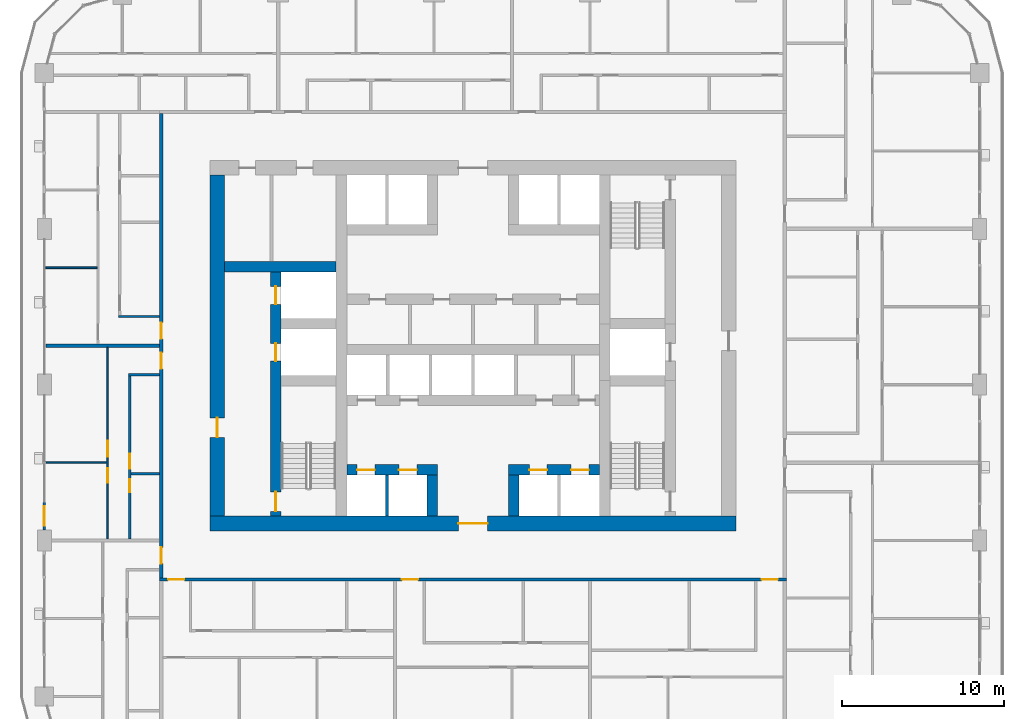
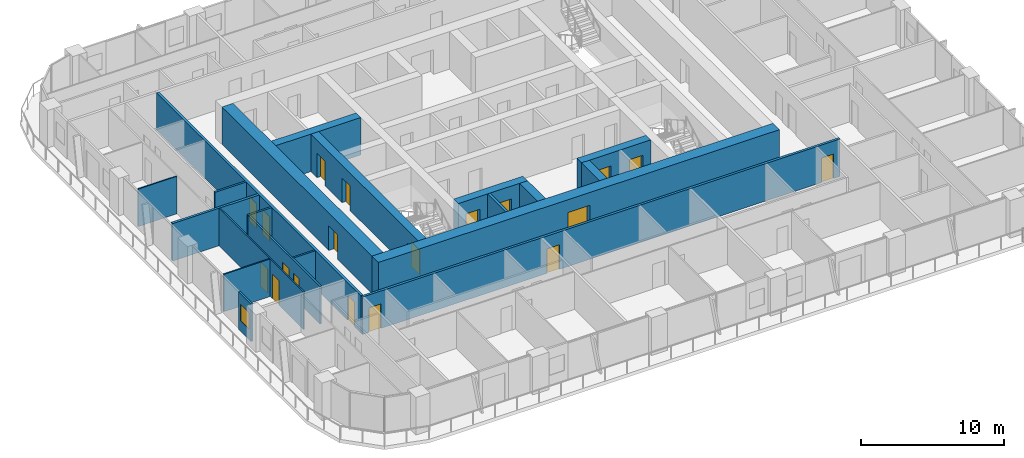
# One storey, part 10 of 22: 20 walls, 19 doors, 1 window, 20 openings.
"""IFC4 building model written with IfcOpenShell, lengths in metres."""

from ifc_helpers import new_model, si_unit, direction, frame, frame_2d, origin, place, context, subcontext, project, spatial, rectangle, extrude, material, layer, layer_set, type_object, element, fill, save


model = new_model("IFC4")

# Units and contexts
model_context = context("Model", 3, precision=1e-05, world=origin(), true_north=direction((0.0, 1.0)))
body_context = subcontext(model_context, "Body", "Model", "MODEL_VIEW")
ifc_project = project(units=[si_unit("LENGTHUNIT", "METRE"), si_unit("AREAUNIT", "SQUARE_METRE"), si_unit("VOLUMEUNIT", "CUBIC_METRE"), si_unit("PLANEANGLEUNIT", "RADIAN"), si_unit("MASSUNIT", "GRAM", prefix="KILO")], contexts=[model_context])

# Site, building, storey
site_placement = place(None, origin())
site = spatial("IfcSite", under=ifc_project, at=site_placement, CompositionType="ELEMENT")
building_placement = place(site_placement, origin())
building = spatial("IfcBuilding", under=site, at=building_placement, Name="Madar Terraces", CompositionType="ELEMENT")
storey_placement = place(building_placement, frame((0.0, 0.0, 69.800048828125)))
storey = spatial("IfcBuildingStorey", under=building, at=storey_placement, Name="L17", CompositionType="ELEMENT", Elevation=69.800048828125)

# Wall, openings, doors
ifc_material_1 = material(Name="Concrete C80/95", Category="concrete")
ifc_layer_1 = layer(ifc_material_1, 0.64990234375)
ifc_layer_set_1 = layer_set([ifc_layer_1], Name="Concrete C80/95 (CIW2 RC wall 650)")
wall_type_1 = type_object("IfcWallType", Name="CIW2 RC wall 650", PredefinedType="SHEAR", material=ifc_layer_set_1)
wall_1_placement = place(storey_placement, frame((19.050048828125, 15.89990234375, 0.0), z_axis=(0.0, 0.0, 1.0), x_axis=(0.0, 1.0, 0.0)))
wall_1 = element("IfcWall", 1, at=wall_1_placement, inside=storey, type_object=wall_type_1, Name="CORE SHAFT WALL", PredefinedType="SHEAR", context=body_context, shape_type="SweptSolid", body=[
    extrude(rectangle(XDim=15.025146484375, YDim=0.64990234375, at=frame_2d((7.5126953125, 0.0))), origin(), (0.0, 0.0, 1.0), 3.199951171875),
])
opening_1_placement = place(wall_1_placement, frame((9.550048828125, 0.0, 0.0)))
opening_1 = element("IfcOpeningElement", 2, at=opening_1_placement, cuts=wall_1, Name="Opening LD", PredefinedType="OPENING", context=body_context, shape_type="SweptSolid", body=[
    extrude(rectangle(XDim=1.10009765625, YDim=2.10009765625, at=frame_2d((0.550048828125, 1.050048828125))), frame((0.0, 0.3349609375, 0.0), z_axis=(0.0, -1.0, 0.0), x_axis=(1.0, 0.0, 0.0)), (0.0, 0.0, 1.0), 0.669921875),
])
opening_2_placement = place(wall_1_placement, frame((13.050048828125, 0.0, 0.0)))
opening_2 = element("IfcOpeningElement", 3, at=opening_2_placement, cuts=wall_1, Name="Opening LD", PredefinedType="OPENING", context=body_context, shape_type="SweptSolid", body=[
    extrude(rectangle(XDim=1.10009765625, YDim=2.10009765625, at=frame_2d((0.550048828125, 1.050048828125))), frame((0.0, 0.3349609375, 0.0), z_axis=(0.0, -1.0, 0.0), x_axis=(1.0, 0.0, 0.0)), (0.0, 0.0, 1.0), 0.669921875),
])
opening_3_placement = place(wall_1_placement, frame((0.300048828125, 0.0, 0.0)))
opening_3 = element("IfcOpeningElement", 4, at=opening_3_placement, cuts=wall_1, Name="Opening SD1", PredefinedType="OPENING", context=body_context, shape_type="SweptSolid", body=[
    extrude(rectangle(XDim=1.199951171875, YDim=2.10009765625, at=frame_2d((0.60009765625, 1.050048828125))), frame((0.0, 0.3349609375, 0.0), z_axis=(0.0, -1.0, 0.0), x_axis=(1.0, 0.0, 0.0)), (0.0, 0.0, 1.0), 0.669921875),
])
ifc_material_2 = material(Name="Stainless steel panel", Category="steel")
door_type_1 = type_object("IfcDoorType", Name="Lift landing door 1100 x 2100", OperationType="DOUBLE_DOOR_SLIDING", PredefinedType="DOOR", material=ifc_material_2)
door_1_placement = place(opening_1_placement, origin())
door_1 = element("IfcDoor", 5, at=door_1_placement, inside=storey, type_object=door_type_1, Name="LIFT LANDING DOOR", OperationType="DOUBLE_DOOR_SLIDING", OverallHeight=2.10009765625, OverallWidth=1.10009765625, PredefinedType="DOOR", context=body_context, shape_type="SweptSolid", body=[
    extrude(rectangle(XDim=1.10009765625, YDim=2.10009765625, at=frame_2d((0.550048828125, 1.050048828125))), frame((0.0, 0.02490234375, 0.0), z_axis=(0.0, -1.0, 0.0), x_axis=(1.0, 0.0, 0.0)), (0.0, 0.0, 1.0), 0.050048828125),
])
fill(opening_1, door_1)
door_2_placement = place(opening_2_placement, origin())
door_2 = element("IfcDoor", 6, at=door_2_placement, inside=storey, type_object=door_type_1, Name="LIFT LANDING DOOR", OperationType="DOUBLE_DOOR_SLIDING", OverallHeight=2.10009765625, OverallWidth=1.10009765625, PredefinedType="DOOR", context=body_context, shape_type="SweptSolid", body=[
    extrude(rectangle(XDim=1.10009765625, YDim=2.10009765625, at=frame_2d((0.550048828125, 1.050048828125))), frame((0.0, 0.02490234375, 0.0), z_axis=(0.0, -1.0, 0.0), x_axis=(1.0, 0.0, 0.0)), (0.0, 0.0, 1.0), 0.050048828125),
])
fill(opening_2, door_2)
ifc_material_3 = material(Name="Steel door leaf", Category="steel")
door_type_2 = type_object("IfcDoorType", Name="Stair door 1200 x 2100", OperationType="NOTDEFINED", PredefinedType="DOOR", material=ifc_material_3)
door_3_placement = place(opening_3_placement, frame((1.199951171875, 0.0, 0.0), z_axis=(0.0, 0.0, 1.0), x_axis=(-1.0, 0.0, 0.0)))
door_3 = element("IfcDoor", 7, at=door_3_placement, inside=storey, type_object=door_type_2, Name="STAIR DOOR", OperationType="SINGLE_SWING_LEFT", OverallHeight=2.10009765625, OverallWidth=1.199951171875, PredefinedType="DOOR", context=body_context, shape_type="SweptSolid", body=[
    extrude(rectangle(XDim=1.199951171875, YDim=2.10009765625, at=frame_2d((0.60009765625, 1.050048828125))), frame((0.0, 0.02490234375, 0.0), z_axis=(0.0, -1.0, 0.0), x_axis=(1.0, 0.0, 0.0)), (0.0, 0.0, 1.0), 0.050048828125),
])
fill(opening_3, door_3)

# Wall
wall_2_placement = place(storey_placement, frame((15.89990234375, 31.25, 0.0), z_axis=(0.0, 0.0, 1.0), x_axis=(1.0, 0.0, 0.0)))
element("IfcWall", 8, at=wall_2_placement, inside=storey, type_object=wall_type_1, Name="CORE SHAFT WALL", PredefinedType="SHEAR", context=body_context, shape_type="SweptSolid", body=[
    extrude(rectangle(XDim=6.875, YDim=0.64990234375, at=frame_2d((3.4375, 0.0))), origin(), (0.0, 0.0, 1.0), 3.199951171875),
])

# Wall, openings, doors
wall_3_placement = place(storey_placement, frame((23.425048828125, 18.75, 0.0), z_axis=(0.0, 0.0, 1.0), x_axis=(1.0, 0.0, 0.0)))
wall_3 = element("IfcWall", 9, at=wall_3_placement, inside=storey, type_object=wall_type_1, Name="CORE SHAFT WALL", PredefinedType="SHEAR", context=body_context, shape_type="SweptSolid", body=[
    extrude(rectangle(XDim=5.599853515625, YDim=0.64990234375, at=frame_2d((2.7998046875, 0.0))), origin(), (0.0, 0.0, 1.0), 3.199951171875),
])
opening_4_placement = place(wall_3_placement, frame((0.637451171875, 0.0, 0.0)))
opening_4 = element("IfcOpeningElement", 10, at=opening_4_placement, cuts=wall_3, Name="Opening LD", PredefinedType="OPENING", context=body_context, shape_type="SweptSolid", body=[
    extrude(rectangle(XDim=1.10009765625, YDim=2.10009765625, at=frame_2d((0.550048828125, 1.050048828125))), frame((0.0, 0.3349609375, 0.0), z_axis=(0.0, -1.0, 0.0), x_axis=(1.0, 0.0, 0.0)), (0.0, 0.0, 1.0), 0.669921875),
])
opening_5_placement = place(wall_3_placement, frame((3.21240234375, 0.0, 0.0)))
opening_5 = element("IfcOpeningElement", 11, at=opening_5_placement, cuts=wall_3, Name="Opening LD", PredefinedType="OPENING", context=body_context, shape_type="SweptSolid", body=[
    extrude(rectangle(XDim=1.10009765625, YDim=2.10009765625, at=frame_2d((0.550048828125, 1.050048828125))), frame((0.0, 0.3349609375, 0.0), z_axis=(0.0, -1.0, 0.0), x_axis=(1.0, 0.0, 0.0)), (0.0, 0.0, 1.0), 0.669921875),
])
door_4_placement = place(opening_4_placement, origin())
door_4 = element("IfcDoor", 12, at=door_4_placement, inside=storey, type_object=door_type_1, Name="LIFT LANDING DOOR", OperationType="DOUBLE_DOOR_SLIDING", OverallHeight=2.10009765625, OverallWidth=1.10009765625, PredefinedType="DOOR", context=body_context, shape_type="SweptSolid", body=[
    extrude(rectangle(XDim=1.10009765625, YDim=2.10009765625, at=frame_2d((0.550048828125, 1.050048828125))), frame((0.0, 0.02490234375, 0.0), z_axis=(0.0, -1.0, 0.0), x_axis=(1.0, 0.0, 0.0)), (0.0, 0.0, 1.0), 0.050048828125),
])
fill(opening_4, door_4)
door_5_placement = place(opening_5_placement, origin())
door_5 = element("IfcDoor", 13, at=door_5_placement, inside=storey, type_object=door_type_1, Name="LIFT LANDING DOOR", OperationType="DOUBLE_DOOR_SLIDING", OverallHeight=2.10009765625, OverallWidth=1.10009765625, PredefinedType="DOOR", context=body_context, shape_type="SweptSolid", body=[
    extrude(rectangle(XDim=1.10009765625, YDim=2.10009765625, at=frame_2d((0.550048828125, 1.050048828125))), frame((0.0, 0.02490234375, 0.0), z_axis=(0.0, -1.0, 0.0), x_axis=(1.0, 0.0, 0.0)), (0.0, 0.0, 1.0), 0.050048828125),
])
fill(opening_5, door_5)

wall_4_placement = place(storey_placement, frame((33.375, 18.75, 0.0), z_axis=(0.0, 0.0, 1.0), x_axis=(1.0, 0.0, 0.0)))
wall_4 = element("IfcWall", 14, at=wall_4_placement, inside=storey, type_object=wall_type_1, Name="CORE SHAFT WALL", PredefinedType="SHEAR", context=body_context, shape_type="SweptSolid", body=[
    extrude(rectangle(XDim=5.60009765625, YDim=0.64990234375, at=frame_2d((2.800048828125, 0.0))), origin(), (0.0, 0.0, 1.0), 3.199951171875),
])
opening_6_placement = place(wall_4_placement, frame((1.28759765625, 0.0, 0.0)))
opening_6 = element("IfcOpeningElement", 15, at=opening_6_placement, cuts=wall_4, Name="Opening LD", PredefinedType="OPENING", context=body_context, shape_type="SweptSolid", body=[
    extrude(rectangle(XDim=1.10009765625, YDim=2.10009765625, at=frame_2d((0.550048828125, 1.050048828125))), frame((0.0, 0.3349609375, 0.0), z_axis=(0.0, -1.0, 0.0), x_axis=(1.0, 0.0, 0.0)), (0.0, 0.0, 1.0), 0.669921875),
])
opening_7_placement = place(wall_4_placement, frame((3.862548828125, 0.0, 0.0)))
opening_7 = element("IfcOpeningElement", 16, at=opening_7_placement, cuts=wall_4, Name="Opening LD", PredefinedType="OPENING", context=body_context, shape_type="SweptSolid", body=[
    extrude(rectangle(XDim=1.10009765625, YDim=2.10009765625, at=frame_2d((0.550048828125, 1.050048828125))), frame((0.0, 0.3349609375, 0.0), z_axis=(0.0, -1.0, 0.0), x_axis=(1.0, 0.0, 0.0)), (0.0, 0.0, 1.0), 0.669921875),
])
door_6_placement = place(opening_6_placement, origin())
door_6 = element("IfcDoor", 17, at=door_6_placement, inside=storey, type_object=door_type_1, Name="LIFT LANDING DOOR", OperationType="DOUBLE_DOOR_SLIDING", OverallHeight=2.10009765625, OverallWidth=1.10009765625, PredefinedType="DOOR", context=body_context, shape_type="SweptSolid", body=[
    extrude(rectangle(XDim=1.10009765625, YDim=2.10009765625, at=frame_2d((0.550048828125, 1.050048828125))), frame((0.0, 0.02490234375, 0.0), z_axis=(0.0, -1.0, 0.0), x_axis=(1.0, 0.0, 0.0)), (0.0, 0.0, 1.0), 0.050048828125),
])
fill(opening_6, door_6)
door_7_placement = place(opening_7_placement, origin())
door_7 = element("IfcDoor", 18, at=door_7_placement, inside=storey, type_object=door_type_1, Name="LIFT LANDING DOOR", OperationType="DOUBLE_DOOR_SLIDING", OverallHeight=2.10009765625, OverallWidth=1.10009765625, PredefinedType="DOOR", context=body_context, shape_type="SweptSolid", body=[
    extrude(rectangle(XDim=1.10009765625, YDim=2.10009765625, at=frame_2d((0.550048828125, 1.050048828125))), frame((0.0, 0.02490234375, 0.0), z_axis=(0.0, -1.0, 0.0), x_axis=(1.0, 0.0, 0.0)), (0.0, 0.0, 1.0), 0.050048828125),
])
fill(opening_7, door_7)

# Walls
for number, where, z_axis, x_axis, name in (
    (19, (28.699951171875, 15.89990234375, 0.0), (0.0, 0.0, 1.0), (0.0, 1.0, 0.0), "CORE SHAFT WALL"),
    (20, (33.699951171875, 15.89990234375, 0.0), (0.0, 0.0, 1.0), (0.0, 1.0, 0.0), "CORE SHAFT WALL"),
):
    element("IfcWall", number, at=place(storey_placement, frame(where, z_axis=z_axis, x_axis=x_axis)), inside=storey, type_object=wall_type_1, Name=name, PredefinedType="SHEAR", context=body_context, shape_type="SweptSolid", body=[
        extrude(rectangle(XDim=2.525146484375, YDim=0.64990234375, at=frame_2d((1.2626953125, 0.0))), origin(), (0.0, 0.0, 1.0), 3.199951171875),
    ])

# Wall, opening, door
ifc_material_4 = material(Name="Concrete C80/95", Category="concrete")
ifc_layer_2 = layer(ifc_material_4, 0.89990234375)
ifc_layer_set_2 = layer_set([ifc_layer_2], Name="Concrete C80/95 (CRW2 RC wall 900)")
wall_type_2 = type_object("IfcWallType", Name="CRW2 RC wall 900", PredefinedType="SHEAR", material=ifc_layer_set_2)
wall_5_placement = place(storey_placement, frame((15.0, 15.449951171875, 0.0), z_axis=(0.0, 0.0, 1.0), x_axis=(1.0, 0.0, 0.0)))
wall_5 = element("IfcWall", 21, at=wall_5_placement, inside=storey, type_object=wall_type_2, Name="CORE OUTER WALL", PredefinedType="SHEAR", context=body_context, shape_type="SweptSolid", body=[
    extrude(rectangle(XDim=32.39990234375, YDim=0.89990234375, at=frame_2d((16.199951171875, 0.0))), origin(), (0.0, 0.0, 1.0), 3.199951171875),
])
opening_8_placement = place(wall_5_placement, frame((15.300048828125, 0.0, 0.0)))
opening_8 = element("IfcOpeningElement", 22, at=opening_8_placement, cuts=wall_5, Name="Opening KD1", PredefinedType="OPENING", context=body_context, shape_type="SweptSolid", body=[
    extrude(rectangle(XDim=1.800048828125, YDim=2.10009765625, at=frame_2d((0.89990234375, 1.050048828125))), frame((0.0, 0.4599609375, 0.0), z_axis=(0.0, -1.0, 0.0), x_axis=(1.0, 0.0, 0.0)), (0.0, 0.0, 1.0), 0.919921875),
])
ifc_material_5 = material(Name="Steel door leaf", Category="steel")
door_type_3 = type_object("IfcDoorType", Name="Lobby door pair 1800 x 2100", OperationType="DOUBLE_DOOR_SINGLE_SWING", PredefinedType="DOOR", material=ifc_material_5)
door_8_placement = place(opening_8_placement, frame((1.800048828125, 0.0, 0.0), z_axis=(0.0, 0.0, 1.0), x_axis=(-1.0, 0.0, 0.0)))
door_8 = element("IfcDoor", 23, at=door_8_placement, inside=storey, type_object=door_type_3, Name="LIFT LOBBY DOOR", OperationType="DOUBLE_DOOR_SINGLE_SWING", OverallHeight=2.10009765625, OverallWidth=1.800048828125, PredefinedType="DOOR", context=body_context, shape_type="SweptSolid", body=[
    extrude(rectangle(XDim=1.800048828125, YDim=2.10009765625, at=frame_2d((0.89990234375, 1.050048828125))), frame((0.0, 0.02490234375, 0.0), z_axis=(0.0, -1.0, 0.0), x_axis=(1.0, 0.0, 0.0)), (0.0, 0.0, 1.0), 0.050048828125),
])
fill(opening_8, door_8)

wall_6_placement = place(storey_placement, frame((15.449951171875, 15.89990234375, 0.0), z_axis=(0.0, 0.0, 1.0), x_axis=(0.0, 1.0, 0.0)))
wall_6 = element("IfcWall", 24, at=wall_6_placement, inside=storey, type_object=wall_type_2, Name="CORE OUTER WALL", PredefinedType="SHEAR", context=body_context, shape_type="SweptSolid", body=[
    extrude(rectangle(XDim=21.0, YDim=0.89990234375, at=frame_2d((10.5, 0.0))), origin(), (0.0, 0.0, 1.0), 3.199951171875),
])
opening_9_placement = place(wall_6_placement, frame((4.860107421875, 0.0, 0.0)))
opening_9 = element("IfcOpeningElement", 25, at=opening_9_placement, cuts=wall_6, Name="Opening SD1", PredefinedType="OPENING", context=body_context, shape_type="SweptSolid", body=[
    extrude(rectangle(XDim=1.199951171875, YDim=2.10009765625, at=frame_2d((0.60009765625, 1.050048828125))), frame((0.0, 0.4599609375, 0.0), z_axis=(0.0, -1.0, 0.0), x_axis=(1.0, 0.0, 0.0)), (0.0, 0.0, 1.0), 0.919921875),
])
door_9_placement = place(opening_9_placement, frame((1.199951171875, 0.0, 0.0), z_axis=(0.0, 0.0, 1.0), x_axis=(-1.0, 0.0, 0.0)))
door_9 = element("IfcDoor", 26, at=door_9_placement, inside=storey, type_object=door_type_2, Name="STAIR DOOR", OperationType="SINGLE_SWING_RIGHT", OverallHeight=2.10009765625, OverallWidth=1.199951171875, PredefinedType="DOOR", context=body_context, shape_type="SweptSolid", body=[
    extrude(rectangle(XDim=1.199951171875, YDim=2.10009765625, at=frame_2d((0.60009765625, 1.050048828125))), frame((0.0, 0.02490234375, 0.0), z_axis=(0.0, -1.0, 0.0), x_axis=(1.0, 0.0, 0.0)), (0.0, 0.0, 1.0), 0.050048828125),
])
fill(opening_9, door_9)

# Wall
ifc_material_6 = material(Name="Concrete C40/50", Category="concrete")
ifc_layer_3 = layer(ifc_material_6, 0.199951171875)
ifc_layer_set_3 = layer_set([ifc_layer_3], Name="Core shaft dividing wall 200 C40/50")
wall_type_3 = type_object("IfcWallType", Name="Core shaft dividing wall 200 C40/50", PredefinedType="SOLIDWALL", material=ifc_layer_set_3)
wall_7_placement = place(storey_placement, frame((25.89990234375, 15.89990234375, 0.0), z_axis=(0.0, 0.0, 1.0), x_axis=(0.0, 1.0, 0.0)))
element("IfcWall", 27, at=wall_7_placement, inside=storey, type_object=wall_type_3, Name="SHAFT DIVIDING WALL", PredefinedType="SOLIDWALL", context=body_context, shape_type="SweptSolid", body=[
    extrude(rectangle(XDim=2.525146484375, YDim=0.199951171875, at=frame_2d((1.2626953125, 0.0))), origin(), (0.0, 0.0, 1.0), 3.199951171875),
])

# Wall, opening, window
ifc_material_7 = material(Name="Aluminium composite panel, black, over insulated backing", Category="aluminium")
ifc_layer_4 = layer(ifc_material_7, 0.14990234375)
ifc_layer_set_4 = layer_set([ifc_layer_4], Name="Facade bay panel 150")
wall_type_4 = type_object("IfcWallType", Name="Facade bay panel 150", PredefinedType="SOLIDWALL", material=ifc_layer_set_4)
wall_8_placement = place(storey_placement, frame((4.800048828125, 16.800048828125, 0.0), z_axis=(0.0, 0.0, 1.0), x_axis=(0.0, -1.0, 0.0)))
wall_8 = element("IfcWall", 28, at=wall_8_placement, inside=storey, type_object=wall_type_4, Name="Facade bay panel", PredefinedType="SOLIDWALL", context=body_context, shape_type="SweptSolid", body=[
    extrude(rectangle(XDim=1.75, YDim=0.14990234375, at=frame_2d((0.875, 0.0))), origin(), (0.0, 0.0, 1.0), 3.199951171875),
])
opening_10_placement = place(wall_8_placement, frame((0.27490234375, 0.0, 0.89990234375)))
opening_10 = element("IfcOpeningElement", 29, at=opening_10_placement, cuts=wall_8, Name="Opening W1", PredefinedType="OPENING", context=body_context, shape_type="SweptSolid", body=[
    extrude(rectangle(XDim=1.199951171875, YDim=1.39990234375, at=frame_2d((0.60009765625, 0.699951171875))), frame((0.0, 0.0849609375, 0.0), z_axis=(0.0, -1.0, 0.0), x_axis=(1.0, 0.0, 0.0)), (0.0, 0.0, 1.0), 0.169921875),
])
ifc_material_8 = material(Name="Glass, clear, with black aluminium frame", Category="aluminium")
window_type = type_object("IfcWindowType", Name="Vent window 1200 x 1400", PartitioningType="SINGLE_PANEL", PredefinedType="WINDOW", material=ifc_material_8)
window_placement = place(opening_10_placement, origin())
window = element("IfcWindow", 30, at=window_placement, inside=storey, type_object=window_type, Name="Operable vent window", OverallHeight=1.39990234375, OverallWidth=1.199951171875, PartitioningType="SINGLE_PANEL", PredefinedType="WINDOW", context=body_context, shape_type="SweptSolid", body=[
    extrude(rectangle(XDim=1.199951171875, YDim=1.39990234375, at=frame_2d((0.60009765625, 0.699951171875))), frame((0.0, 0.030029296875, 0.0), z_axis=(0.0, -1.0, 0.0), x_axis=(1.0, 0.0, 0.0)), (0.0, 0.0, 1.0), 0.06005859375),
])
fill(opening_10, window)

# Walls
ifc_material_9 = material(Name="Gypsum board on steel studs", Category="steel")
ifc_layer_5 = layer(ifc_material_9, 0.10009765625)
ifc_layer_set_5 = layer_set([ifc_layer_5], Name="Flat partition 100")
wall_type_5 = type_object("IfcWallType", Name="Flat partition 100", PredefinedType="PARTITIONING", material=ifc_layer_set_5)
wall_9_placement = place(storey_placement, frame((8.050048828125, 31.199951171875, 0.0), z_axis=(0.0, 0.0, 1.0), x_axis=(-1.0, 0.0, 0.0)))
element("IfcWall", 31, at=wall_9_placement, inside=storey, type_object=wall_type_5, Name="Flat partition 100", PredefinedType="PARTITIONING", context=body_context, shape_type="SweptSolid", body=[
    extrude(rectangle(XDim=3.150146484375, YDim=0.10009765625, at=frame_2d((1.5751953125, 0.0))), origin(), (0.0, 0.0, 1.0), 3.199951171875),
])
wall_10_placement = place(storey_placement, frame((8.64990234375, 19.199951171875, 0.0), z_axis=(0.0, 0.0, 1.0), x_axis=(-1.0, 0.0, 0.0)))
element("IfcWall", 32, at=wall_10_placement, inside=storey, type_object=wall_type_5, Name="Flat partition 100", PredefinedType="PARTITIONING", context=body_context, shape_type="SweptSolid", body=[
    extrude(rectangle(XDim=3.75, YDim=0.10009765625, at=frame_2d((1.875, 0.0))), origin(), (0.0, 0.0, 1.0), 3.199951171875),
])

# Wall, openings, doors
wall_11_placement = place(storey_placement, frame((8.699951171875, 14.5, 0.0), z_axis=(0.0, 0.0, 1.0), x_axis=(0.0, 1.0, 0.0)))
wall_11 = element("IfcWall", 33, at=wall_11_placement, inside=storey, type_object=wall_type_5, Name="Flat partition 100", PredefinedType="PARTITIONING", context=body_context, shape_type="SweptSolid", body=[
    extrude(rectangle(XDim=11.800048828125, YDim=0.10009765625, at=frame_2d((5.89990234375, 0.0))), origin(), (0.0, 0.0, 1.0), 3.199951171875),
])
opening_11_placement = place(wall_11_placement, frame((5.050048828125, 0.0, 0.0)))
opening_11 = element("IfcOpeningElement", 34, at=opening_11_placement, cuts=wall_11, Name="Opening D3", PredefinedType="OPENING", context=body_context, shape_type="SweptSolid", body=[
    extrude(rectangle(XDim=1.0, YDim=2.10009765625, at=frame_2d((0.5, 1.050048828125))), frame((0.0, 0.06005859375, 0.0), z_axis=(0.0, -1.0, 0.0), x_axis=(1.0, 0.0, 0.0)), (0.0, 0.0, 1.0), 0.1201171875),
])
opening_12_placement = place(wall_11_placement, frame((3.449951171875, 0.0, 0.0)))
opening_12 = element("IfcOpeningElement", 35, at=opening_12_placement, cuts=wall_11, Name="Opening D2", PredefinedType="OPENING", context=body_context, shape_type="SweptSolid", body=[
    extrude(rectangle(XDim=0.89990234375, YDim=2.10009765625, at=frame_2d((0.449951171875, 1.050048828125))), frame((0.0, 0.06005859375, 0.0), z_axis=(0.0, -1.0, 0.0), x_axis=(1.0, 0.0, 0.0)), (0.0, 0.0, 1.0), 0.1201171875),
])
ifc_material_10 = material(Name="Timber door leaf", Category="wood")
door_type_4 = type_object("IfcDoorType", Name="Flat living room door 1000", OperationType="NOTDEFINED", PredefinedType="DOOR", material=ifc_material_10)
door_10_placement = place(opening_11_placement, origin())
door_10 = element("IfcDoor", 36, at=door_10_placement, inside=storey, type_object=door_type_4, Name="Flat living room door 1000", OperationType="SINGLE_SWING_LEFT", OverallHeight=2.10009765625, OverallWidth=1.0, PredefinedType="DOOR", context=body_context, shape_type="SweptSolid", body=[
    extrude(rectangle(XDim=1.0, YDim=2.10009765625, at=frame_2d((0.5, 1.050048828125))), frame((0.0, 0.02490234375, 0.0), z_axis=(0.0, -1.0, 0.0), x_axis=(1.0, 0.0, 0.0)), (0.0, 0.0, 1.0), 0.050048828125),
])
fill(opening_11, door_10)
ifc_material_11 = material(Name="Timber door leaf", Category="wood")
door_type_5 = type_object("IfcDoorType", Name="Flat room door 900", OperationType="NOTDEFINED", PredefinedType="DOOR", material=ifc_material_11)
door_11_placement = place(opening_12_placement, origin())
door_11 = element("IfcDoor", 37, at=door_11_placement, inside=storey, type_object=door_type_5, Name="Flat room door 900", OperationType="SINGLE_SWING_RIGHT", OverallHeight=2.10009765625, OverallWidth=0.89990234375, PredefinedType="DOOR", context=body_context, shape_type="SweptSolid", body=[
    extrude(rectangle(XDim=0.89990234375, YDim=2.10009765625, at=frame_2d((0.449951171875, 1.050048828125))), frame((0.0, 0.02490234375, 0.0), z_axis=(0.0, -1.0, 0.0), x_axis=(1.0, 0.0, 0.0)), (0.0, 0.0, 1.0), 0.050048828125),
])
fill(opening_12, door_11)

ifc_material_12 = material(Name="Lightweight blockwork", Category="masonry")
ifc_layer_6 = layer(ifc_material_12, 0.199951171875)
ifc_layer_set_6 = layer_set([ifc_layer_6], Name="Flat party and entrance wall 200")
wall_type_6 = type_object("IfcWallType", Name="Flat party and entrance wall 200", PredefinedType="PARTITIONING", material=ifc_layer_set_6)
wall_12_placement = place(storey_placement, frame((50.5, 12.0, 0.0), z_axis=(0.0, 0.0, 1.0), x_axis=(-1.0, 0.0, 0.0)))
wall_12 = element("IfcWall", 38, at=wall_12_placement, inside=storey, type_object=wall_type_6, Name="Flat party and entrance wall 200", PredefinedType="PARTITIONING", context=body_context, shape_type="SweptSolid", body=[
    extrude(rectangle(XDim=38.60009765625, YDim=0.199951171875, at=frame_2d((19.300048828125, 0.0))), origin(), (0.0, 0.0, 1.0), 3.199951171875),
])
opening_13_placement = place(wall_12_placement, frame((37.074951171875, 0.0, 0.0)))
opening_13 = element("IfcOpeningElement", 39, at=opening_13_placement, cuts=wall_12, Name="Opening D1", PredefinedType="OPENING", context=body_context, shape_type="SweptSolid", body=[
    extrude(rectangle(XDim=1.0, YDim=2.10009765625, at=frame_2d((0.5, 1.050048828125))), frame((0.0, 0.10986328125, 0.0), z_axis=(0.0, -1.0, 0.0), x_axis=(1.0, 0.0, 0.0)), (0.0, 0.0, 1.0), 0.219970703125),
])
opening_14_placement = place(wall_12_placement, frame((22.675048828125, 0.0, 0.0)))
opening_14 = element("IfcOpeningElement", 40, at=opening_14_placement, cuts=wall_12, Name="Opening D1", PredefinedType="OPENING", context=body_context, shape_type="SweptSolid", body=[
    extrude(rectangle(XDim=1.0, YDim=2.10009765625, at=frame_2d((0.5, 1.050048828125))), frame((0.0, 0.10986328125, 0.0), z_axis=(0.0, -1.0, 0.0), x_axis=(1.0, 0.0, 0.0)), (0.0, 0.0, 1.0), 0.219970703125),
])
opening_15_placement = place(wall_12_placement, frame((0.52490234375, 0.0, 0.0)))
opening_15 = element("IfcOpeningElement", 41, at=opening_15_placement, cuts=wall_12, Name="Opening D1", PredefinedType="OPENING", context=body_context, shape_type="SweptSolid", body=[
    extrude(rectangle(XDim=1.0, YDim=2.10009765625, at=frame_2d((0.5, 1.050048828125))), frame((0.0, 0.10986328125, 0.0), z_axis=(0.0, -1.0, 0.0), x_axis=(1.0, 0.0, 0.0)), (0.0, 0.0, 1.0), 0.219970703125),
])
ifc_material_13 = material(Name="Timber fire door leaf", Category="wood")
door_type_6 = type_object("IfcDoorType", Name="Flat entrance door 1000 FD30S", OperationType="NOTDEFINED", PredefinedType="DOOR", material=ifc_material_13)
door_12_placement = place(opening_13_placement, origin())
door_12 = element("IfcDoor", 42, at=door_12_placement, inside=storey, type_object=door_type_6, Name="Flat entrance door 1000 FD30S", OperationType="SINGLE_SWING_RIGHT", OverallHeight=2.10009765625, OverallWidth=1.0, PredefinedType="DOOR", context=body_context, shape_type="SweptSolid", body=[
    extrude(rectangle(XDim=1.0, YDim=2.10009765625, at=frame_2d((0.5, 1.050048828125))), frame((0.0, 0.02490234375, 0.0), z_axis=(0.0, -1.0, 0.0), x_axis=(1.0, 0.0, 0.0)), (0.0, 0.0, 1.0), 0.050048828125),
])
fill(opening_13, door_12)
door_13_placement = place(opening_14_placement, origin())
door_13 = element("IfcDoor", 43, at=door_13_placement, inside=storey, type_object=door_type_6, Name="Flat entrance door 1000 FD30S", OperationType="SINGLE_SWING_RIGHT", OverallHeight=2.10009765625, OverallWidth=1.0, PredefinedType="DOOR", context=body_context, shape_type="SweptSolid", body=[
    extrude(rectangle(XDim=1.0, YDim=2.10009765625, at=frame_2d((0.5, 1.050048828125))), frame((0.0, 0.02490234375, 0.0), z_axis=(0.0, -1.0, 0.0), x_axis=(1.0, 0.0, 0.0)), (0.0, 0.0, 1.0), 0.050048828125),
])
fill(opening_14, door_13)
door_14_placement = place(opening_15_placement, origin())
door_14 = element("IfcDoor", 44, at=door_14_placement, inside=storey, type_object=door_type_6, Name="Flat entrance door 1000 FD30S", OperationType="SINGLE_SWING_LEFT", OverallHeight=2.10009765625, OverallWidth=1.0, PredefinedType="DOOR", context=body_context, shape_type="SweptSolid", body=[
    extrude(rectangle(XDim=1.0, YDim=2.10009765625, at=frame_2d((0.5, 1.050048828125))), frame((0.0, 0.02490234375, 0.0), z_axis=(0.0, -1.0, 0.0), x_axis=(1.0, 0.0, 0.0)), (0.0, 0.0, 1.0), 0.050048828125),
])
fill(opening_15, door_14)

wall_13_placement = place(storey_placement, frame((12.0, 12.10009765625, 0.0), z_axis=(0.0, 0.0, 1.0), x_axis=(0.0, 1.0, 0.0)))
wall_13 = element("IfcWall", 45, at=wall_13_placement, inside=storey, type_object=wall_type_6, Name="Flat party and entrance wall 200", PredefinedType="PARTITIONING", context=body_context, shape_type="SweptSolid", body=[
    extrude(rectangle(XDim=28.599853515625, YDim=0.199951171875, at=frame_2d((14.2998046875, 0.0))), origin(), (0.0, 0.0, 1.0), 3.199951171875),
])
opening_16_placement = place(wall_13_placement, frame((14.72509765625, 0.0, 0.0)))
opening_16 = element("IfcOpeningElement", 46, at=opening_16_placement, cuts=wall_13, Name="Opening D1", PredefinedType="OPENING", context=body_context, shape_type="SweptSolid", body=[
    extrude(rectangle(XDim=1.0, YDim=2.10009765625, at=frame_2d((0.5, 1.050048828125))), frame((0.0, 0.10986328125, 0.0), z_axis=(0.0, -1.0, 0.0), x_axis=(1.0, 0.0, 0.0)), (0.0, 0.0, 1.0), 0.219970703125),
])
opening_17_placement = place(wall_13_placement, frame((12.875, 0.0, 0.0)))
opening_17 = element("IfcOpeningElement", 47, at=opening_17_placement, cuts=wall_13, Name="Opening D1", PredefinedType="OPENING", context=body_context, shape_type="SweptSolid", body=[
    extrude(rectangle(XDim=1.0, YDim=2.10009765625, at=frame_2d((0.5, 1.050048828125))), frame((0.0, 0.10986328125, 0.0), z_axis=(0.0, -1.0, 0.0), x_axis=(1.0, 0.0, 0.0)), (0.0, 0.0, 1.0), 0.219970703125),
])
opening_18_placement = place(wall_13_placement, frame((0.875, 0.0, 0.0)))
opening_18 = element("IfcOpeningElement", 48, at=opening_18_placement, cuts=wall_13, Name="Opening D1", PredefinedType="OPENING", context=body_context, shape_type="SweptSolid", body=[
    extrude(rectangle(XDim=1.0, YDim=2.10009765625, at=frame_2d((0.5, 1.050048828125))), frame((0.0, 0.10986328125, 0.0), z_axis=(0.0, -1.0, 0.0), x_axis=(1.0, 0.0, 0.0)), (0.0, 0.0, 1.0), 0.219970703125),
])
door_15_placement = place(opening_16_placement, origin())
door_15 = element("IfcDoor", 49, at=door_15_placement, inside=storey, type_object=door_type_6, Name="Flat entrance door 1000 FD30S", OperationType="SINGLE_SWING_LEFT", OverallHeight=2.10009765625, OverallWidth=1.0, PredefinedType="DOOR", context=body_context, shape_type="SweptSolid", body=[
    extrude(rectangle(XDim=1.0, YDim=2.10009765625, at=frame_2d((0.5, 1.050048828125))), frame((0.0, 0.02490234375, 0.0), z_axis=(0.0, -1.0, 0.0), x_axis=(1.0, 0.0, 0.0)), (0.0, 0.0, 1.0), 0.050048828125),
])
fill(opening_16, door_15)
door_16_placement = place(opening_17_placement, origin())
door_16 = element("IfcDoor", 50, at=door_16_placement, inside=storey, type_object=door_type_6, Name="Flat entrance door 1000 FD30S", OperationType="SINGLE_SWING_RIGHT", OverallHeight=2.10009765625, OverallWidth=1.0, PredefinedType="DOOR", context=body_context, shape_type="SweptSolid", body=[
    extrude(rectangle(XDim=1.0, YDim=2.10009765625, at=frame_2d((0.5, 1.050048828125))), frame((0.0, 0.02490234375, 0.0), z_axis=(0.0, -1.0, 0.0), x_axis=(1.0, 0.0, 0.0)), (0.0, 0.0, 1.0), 0.050048828125),
])
fill(opening_17, door_16)
door_17_placement = place(opening_18_placement, origin())
door_17 = element("IfcDoor", 51, at=door_17_placement, inside=storey, type_object=door_type_6, Name="Flat entrance door 1000 FD30S", OperationType="SINGLE_SWING_RIGHT", OverallHeight=2.10009765625, OverallWidth=1.0, PredefinedType="DOOR", context=body_context, shape_type="SweptSolid", body=[
    extrude(rectangle(XDim=1.0, YDim=2.10009765625, at=frame_2d((0.5, 1.050048828125))), frame((0.0, 0.02490234375, 0.0), z_axis=(0.0, -1.0, 0.0), x_axis=(1.0, 0.0, 0.0)), (0.0, 0.0, 1.0), 0.050048828125),
])
fill(opening_18, door_17)

# Walls
wall_14_placement = place(storey_placement, frame((4.89990234375, 26.39990234375, 0.0), z_axis=(0.0, 0.0, 1.0), x_axis=(1.0, 0.0, 0.0)))
element("IfcWall", 52, at=wall_14_placement, inside=storey, type_object=wall_type_6, Name="Flat party and entrance wall 200", PredefinedType="PARTITIONING", context=body_context, shape_type="SweptSolid", body=[
    extrude(rectangle(XDim=7.0, YDim=0.199951171875, at=frame_2d((3.5, 0.0))), origin(), (0.0, 0.0, 1.0), 3.199951171875),
])
ifc_material_14 = material(Name="Lightweight blockwork", Category="masonry")
ifc_layer_7 = layer(ifc_material_14, 0.14990234375)
ifc_layer_set_7 = layer_set([ifc_layer_7], Name="Flat wet-room partition 150")
wall_type_7 = type_object("IfcWallType", Name="Flat wet-room partition 150", PredefinedType="PARTITIONING", material=ifc_layer_set_7)
wall_15_placement = place(storey_placement, frame((11.89990234375, 28.199951171875, 0.0), z_axis=(0.0, 0.0, 1.0), x_axis=(-1.0, 0.0, 0.0)))
element("IfcWall", 53, at=wall_15_placement, inside=storey, type_object=wall_type_7, Name="Flat wet-room partition 150", PredefinedType="PARTITIONING", context=body_context, shape_type="SweptSolid", body=[
    extrude(rectangle(XDim=2.52490234375, YDim=0.14990234375, at=frame_2d((1.262451171875, 0.0))), origin(), (0.0, 0.0, 1.0), 3.199951171875),
])
wall_16_placement = place(storey_placement, frame((11.89990234375, 18.510009765625, 0.0), z_axis=(0.0, 0.0, 1.0), x_axis=(-1.0, 0.0, 0.0)))
element("IfcWall", 54, at=wall_16_placement, inside=storey, type_object=wall_type_7, Name="Flat wet-room partition 150", PredefinedType="PARTITIONING", context=body_context, shape_type="SweptSolid", body=[
    extrude(rectangle(XDim=1.77490234375, YDim=0.14990234375, at=frame_2d((0.887451171875, 0.0))), origin(), (0.0, 0.0, 1.0), 3.199951171875),
])
wall_17_placement = place(storey_placement, frame((11.89990234375, 24.60009765625, 0.0), z_axis=(0.0, 0.0, 1.0), x_axis=(-1.0, 0.0, 0.0)))
element("IfcWall", 55, at=wall_17_placement, inside=storey, type_object=wall_type_7, Name="Flat wet-room partition 150", PredefinedType="PARTITIONING", context=body_context, shape_type="SweptSolid", body=[
    extrude(rectangle(XDim=1.9248046875, YDim=0.14990234375, at=frame_2d((0.96240234375, 0.0))), origin(), (0.0, 0.0, 1.0), 3.199951171875),
])

# Wall, openings, doors
wall_18_placement = place(storey_placement, frame((10.050048828125, 24.52490234375, 0.0), z_axis=(0.0, 0.0, 1.0), x_axis=(0.0, -1.0, 0.0)))
wall_18 = element("IfcWall", 56, at=wall_18_placement, inside=storey, type_object=wall_type_7, Name="Flat wet-room partition 150", PredefinedType="PARTITIONING", context=body_context, shape_type="SweptSolid", body=[
    extrude(rectangle(XDim=10.02490234375, YDim=0.14990234375, at=frame_2d((5.012451171875, 0.0))), origin(), (0.0, 0.0, 1.0), 3.199951171875),
])
opening_19_placement = place(wall_18_placement, frame((4.7900390625, 0.0, 0.0)))
opening_19 = element("IfcOpeningElement", 57, at=opening_19_placement, cuts=wall_18, Name="Opening D2", PredefinedType="OPENING", context=body_context, shape_type="SweptSolid", body=[
    extrude(rectangle(XDim=0.89990234375, YDim=2.10009765625, at=frame_2d((0.449951171875, 1.050048828125))), frame((0.0, 0.0849609375, 0.0), z_axis=(0.0, -1.0, 0.0), x_axis=(1.0, 0.0, 0.0)), (0.0, 0.0, 1.0), 0.169921875),
])
opening_20_placement = place(wall_18_placement, frame((6.340087890625, 0.0, 0.0)))
opening_20 = element("IfcOpeningElement", 58, at=opening_20_placement, cuts=wall_18, Name="Opening D4", PredefinedType="OPENING", context=body_context, shape_type="SweptSolid", body=[
    extrude(rectangle(XDim=0.800048828125, YDim=2.10009765625, at=frame_2d((0.39990234375, 1.050048828125))), frame((0.0, 0.0849609375, 0.0), z_axis=(0.0, -1.0, 0.0), x_axis=(1.0, 0.0, 0.0)), (0.0, 0.0, 1.0), 0.169921875),
])
ifc_material_15 = material(Name="Timber door leaf", Category="wood")
door_type_7 = type_object("IfcDoorType", Name="Flat bathroom door 800", OperationType="NOTDEFINED", PredefinedType="DOOR", material=ifc_material_15)
door_18_placement = place(opening_20_placement, origin())
door_18 = element("IfcDoor", 59, at=door_18_placement, inside=storey, type_object=door_type_7, Name="Flat bathroom door 800", OperationType="SINGLE_SWING_LEFT", OverallHeight=2.10009765625, OverallWidth=0.800048828125, PredefinedType="DOOR", context=body_context, shape_type="SweptSolid", body=[
    extrude(rectangle(XDim=0.800048828125, YDim=2.10009765625, at=frame_2d((0.39990234375, 1.050048828125))), frame((0.0, 0.02490234375, 0.0), z_axis=(0.0, -1.0, 0.0), x_axis=(1.0, 0.0, 0.0)), (0.0, 0.0, 1.0), 0.050048828125),
])
fill(opening_20, door_18)
door_19_placement = place(opening_19_placement, origin())
door_19 = element("IfcDoor", 60, at=door_19_placement, inside=storey, type_object=door_type_5, Name="Flat room door 900", OperationType="SINGLE_SWING_RIGHT", OverallHeight=2.10009765625, OverallWidth=0.89990234375, PredefinedType="DOOR", context=body_context, shape_type="SweptSolid", body=[
    extrude(rectangle(XDim=0.89990234375, YDim=2.10009765625, at=frame_2d((0.449951171875, 1.050048828125))), frame((0.0, 0.02490234375, 0.0), z_axis=(0.0, -1.0, 0.0), x_axis=(1.0, 0.0, 0.0)), (0.0, 0.0, 1.0), 0.050048828125),
])
fill(opening_19, door_19)

save(model, "model.ifc")
